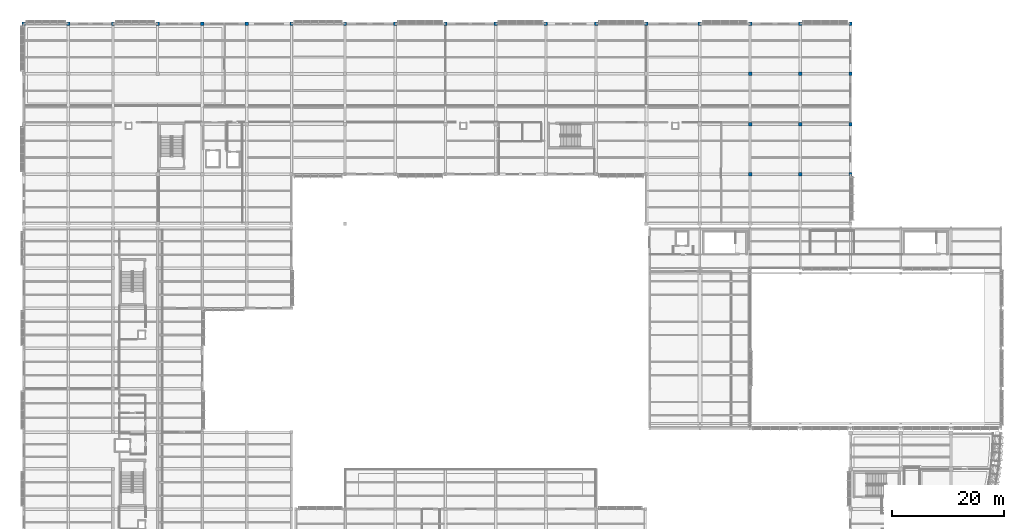
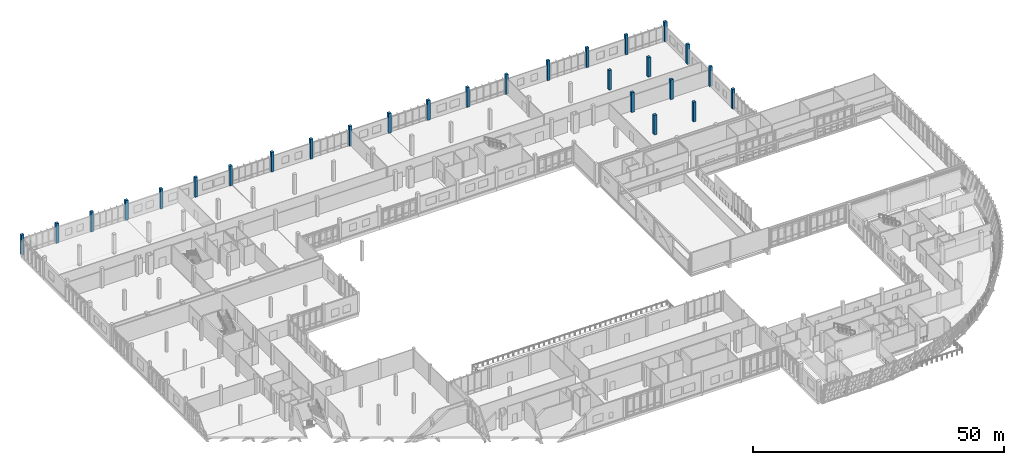
# One storey, part 10 of 177: 27 columns.
"""IFC4 building model written with IfcOpenShell, lengths in metres."""

from ifc_helpers import new_model, si_unit, direction, frame, origin, origin_2d, place, context, subcontext, project, spatial, rectangle, extrude, material, material_profile, profile_set, type_object, element, save


model = new_model("IFC4")

# Units and contexts
model_context = context("Model", 3, precision=1e-05, world=origin(), true_north=direction((0.0, 1.0)))
body_context = subcontext(model_context, "Body", "Model", "MODEL_VIEW")
ifc_project = project(units=[si_unit("LENGTHUNIT", "METRE"), si_unit("AREAUNIT", "SQUARE_METRE"), si_unit("VOLUMEUNIT", "CUBIC_METRE"), si_unit("PLANEANGLEUNIT", "RADIAN"), si_unit("MASSUNIT", "GRAM", prefix="KILO")], contexts=[model_context])

# Site, building, storey
site_placement = place(None, origin())
site = spatial("IfcSite", under=ifc_project, at=site_placement, CompositionType="ELEMENT")
building_placement = place(site_placement, origin())
building = spatial("IfcBuilding", under=site, at=building_placement, Name="Chiffa Square Polytechnic", CompositionType="ELEMENT")
storey_placement = place(building_placement, frame((0.0, 0.0, 4.800048828125)))
storey = spatial("IfcBuildingStorey", under=building, at=storey_placement, Name="L01", CompositionType="ELEMENT", Elevation=4.800048828125)

# Columns
ifc_material = material(Name="Concrete C40/50", Category="concrete")
ifc_material_profile = material_profile(ifc_material, rectangle(XDim=0.60009765625, YDim=0.60009765625, at=origin_2d()), Name="RC 600x600")
ifc_profile_set = profile_set([ifc_material_profile], Name="Concrete C40/50")
column_type = type_object("IfcColumnType", Name="COL-RC-600", PredefinedType="COLUMN", material=ifc_profile_set)
for number, where, z_axis, x_axis, name in (
    (1, (0.0, 130.800048828125, 0.0), (0.0, 0.0, 1.0), (1.0, 0.0, 0.0), "Column C-V5-L01-0000-1308"),
    (2, (8.0, 130.800048828125, 0.0), (0.0, 0.0, 1.0), (1.0, 0.0, 0.0), "Column C-V5-L01-0080-1308"),
    (3, (16.0, 130.800048828125, 0.0), (0.0, 0.0, 1.0), (1.0, 0.0, 0.0), "Column C-V5-L01-0160-1308"),
    (4, (24.0, 130.800048828125, 0.0), (0.0, 0.0, 1.0), (1.0, 0.0, 0.0), "Column C-V5-L01-0240-1308"),
    (5, (32.0, 130.800048828125, 0.0), (0.0, 0.0, 1.0), (1.0, 0.0, 0.0), "Column C-V5-L01-0320-1308"),
    (6, (40.0, 130.800048828125, 0.0), (0.0, 0.0, 1.0), (1.0, 0.0, 0.0), "Column C-V5-L01-0400-1308"),
    (7, (48.0, 130.800048828125, 0.0), (0.0, 0.0, 1.0), (1.0, 0.0, 0.0), "Column C-V5-L01-0480-1308"),
    (8, (57.60009765625, 130.800048828125, 0.0), (0.0, 0.0, 1.0), (1.0, 0.0, 0.0), "Column C-V5-L01-0576-1308"),
    (9, (66.60009765625, 130.800048828125, 0.0), (0.0, 0.0, 1.0), (1.0, 0.0, 0.0), "Column C-V5-L01-0666-1308"),
    (10, (75.60009765625, 130.800048828125, 0.0), (0.0, 0.0, 1.0), (1.0, 0.0, 0.0), "Column C-V5-L01-0756-1308"),
    (11, (84.60009765625, 130.800048828125, 0.0), (0.0, 0.0, 1.0), (1.0, 0.0, 0.0), "Column C-V5-L01-0846-1308"),
    (12, (93.60009765625, 130.800048828125, 0.0), (0.0, 0.0, 1.0), (1.0, 0.0, 0.0), "Column C-V5-L01-0936-1308"),
    (13, (102.60009765625, 130.800048828125, 0.0), (0.0, 0.0, 1.0), (1.0, 0.0, 0.0), "Column C-V5-L01-1026-1308"),
    (14, (111.60009765625, 130.800048828125, 0.0), (0.0, 0.0, 1.0), (1.0, 0.0, 0.0), "Column C-V5-L01-1116-1308"),
    (15, (121.199951171875, 130.800048828125, 0.0), (0.0, 0.0, 1.0), (1.0, 0.0, 0.0), "Column C-V5-L01-1212-1308"),
    (16, (130.199951171875, 103.800048828125, 0.0), (0.0, 0.0, 1.0), (1.0, 0.0, 0.0), "Column C-V5-L01-1302-1038"),
    (17, (130.199951171875, 112.800048828125, 0.0), (0.0, 0.0, 1.0), (1.0, 0.0, 0.0), "Column C-V5-L01-1302-1128"),
    (18, (130.199951171875, 121.800048828125, 0.0), (0.0, 0.0, 1.0), (1.0, 0.0, 0.0), "Column C-V5-L01-1302-1218"),
    (19, (130.199951171875, 130.800048828125, 0.0), (0.0, 0.0, 1.0), (1.0, 0.0, 0.0), "Column C-V5-L01-1302-1308"),
    (20, (139.199951171875, 103.800048828125, 0.0), (0.0, 0.0, 1.0), (1.0, 0.0, 0.0), "Column C-V5-L01-1392-1038"),
    (21, (139.199951171875, 112.800048828125, 0.0), (0.0, 0.0, 1.0), (1.0, 0.0, 0.0), "Column C-V5-L01-1392-1128"),
    (22, (139.199951171875, 121.800048828125, 0.0), (0.0, 0.0, 1.0), (1.0, 0.0, 0.0), "Column C-V5-L01-1392-1218"),
    (23, (139.199951171875, 130.800048828125, 0.0), (0.0, 0.0, 1.0), (1.0, 0.0, 0.0), "Column C-V5-L01-1392-1308"),
    (24, (148.199951171875, 103.800048828125, 0.0), (0.0, 0.0, 1.0), (1.0, 0.0, 0.0), "Column C-V5-L01-1482-1038"),
    (25, (148.199951171875, 112.800048828125, 0.0), (0.0, 0.0, 1.0), (1.0, 0.0, 0.0), "Column C-V5-L01-1482-1128"),
    (26, (148.199951171875, 121.800048828125, 0.0), (0.0, 0.0, 1.0), (1.0, 0.0, 0.0), "Column C-V5-L01-1482-1218"),
    (27, (148.199951171875, 130.800048828125, 0.0), (0.0, 0.0, 1.0), (1.0, 0.0, 0.0), "Column C-V5-L01-1482-1308"),
):
    element("IfcColumn", number, at=place(storey_placement, frame(where, z_axis=z_axis, x_axis=x_axis)), inside=storey, type_object=column_type, Name=name, PredefinedType="COLUMN", context=body_context, shape_type="SweptSolid", body=[
        extrude(rectangle(XDim=0.60009765625, YDim=0.60009765625, at=origin_2d()), origin(), (0.0, 0.0, 1.0), 4.800048828125),
    ])

save(model, "model.ifc")
